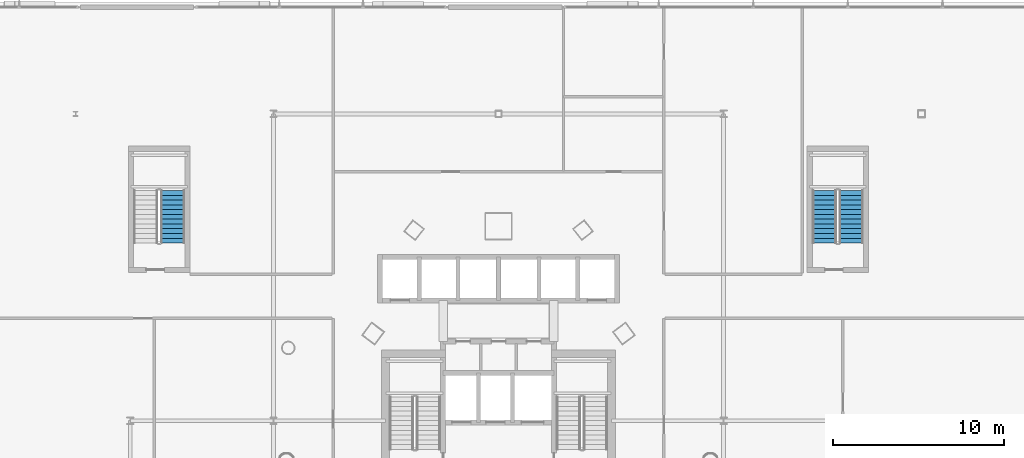
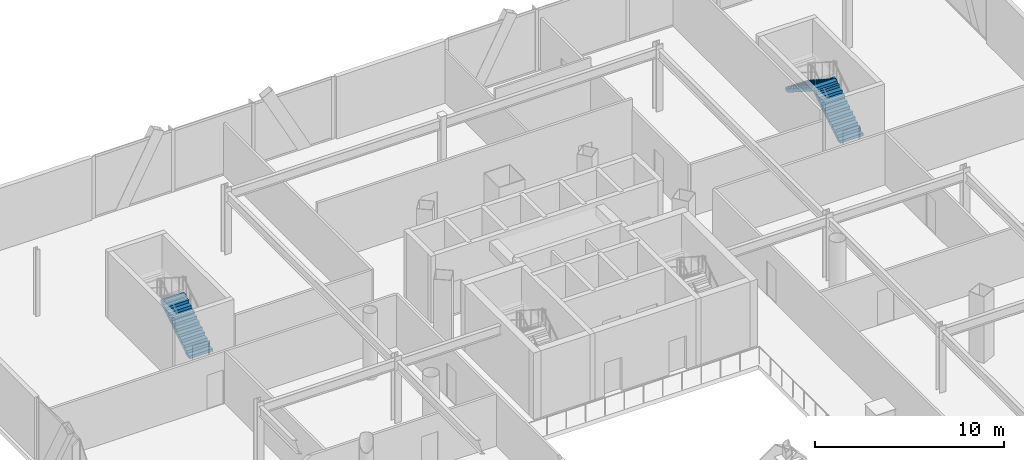
# One storey, part 35 of 42: 3 stair flights, 2 elements without a shape of their own.
"""IFC4 building model written with IfcOpenShell, lengths in metres."""

from ifc_helpers import new_model, si_unit, direction, frame, origin, place, context, subcontext, project, spatial, polyline, outline, extrude, material, type_object, element, aggregate, save


model = new_model("IFC4")

# Units and contexts
model_context = context("Model", 3, precision=1e-05, world=origin(), true_north=direction((0.0, 1.0)))
body_context = subcontext(model_context, "Body", "Model", "MODEL_VIEW")
ifc_project = project(units=[si_unit("LENGTHUNIT", "METRE"), si_unit("AREAUNIT", "SQUARE_METRE"), si_unit("VOLUMEUNIT", "CUBIC_METRE"), si_unit("PLANEANGLEUNIT", "RADIAN"), si_unit("MASSUNIT", "GRAM", prefix="KILO")], contexts=[model_context])

# Site, building, storey
site_placement = place(None, origin())
site = spatial("IfcSite", under=ifc_project, at=site_placement, CompositionType="ELEMENT")
building_placement = place(site_placement, origin())
building = spatial("IfcBuilding", under=site, at=building_placement, Name="Orvanel Arch Residences", CompositionType="ELEMENT")
storey_placement = place(building_placement, frame((0.0, 0.0, 9.800048828125)))
storey = spatial("IfcBuildingStorey", under=building, at=storey_placement, Name="L02", CompositionType="ELEMENT", Elevation=9.800048828125)

# Stair, stair flight
ifc_material = material(Name="Precast concrete N50 (50 MPa)", Category="concrete")
stair_type = type_object("IfcStairType", Name="STR-DOG-178", PredefinedType="USERDEFINED", material=ifc_material)
stair_1_placement = place(storey_placement, origin())
stair_1 = element("IfcStair", 1, at=stair_1_placement, inside=storey, type_object=stair_type, Name="L02 West Podium Fire-Isolated Exit Stair 3", ObjectType="TWO_RETURN_STAIR", PredefinedType="USERDEFINED")
stair_flight_type_1 = type_object("IfcStairFlightType", Name="SFL-C3-178", PredefinedType="STRAIGHT", material=ifc_material)
stair_flight_1_placement = place(storey_placement, frame((13.889892578125, 40.419921875, 0.0), z_axis=(0.0, 0.0, 1.0), x_axis=(0.0, 1.0, 0.0)))
stair_flight_1 = element("IfcStairFlight", 2, at=stair_flight_1_placement, type_object=stair_flight_type_1, Name="ST-3 flight 1", NumberOfRisers=12, NumberOfTreads=11, PredefinedType="STRAIGHT", RiserHeight=0.179166667, TreadLength=0.28, context=body_context, shape_type="SweptSolid", body=[
    extrude(outline(polyline([(0.0, 0.0), (0.0, 0.17919921875), (0.280029296875, 0.17919921875), (0.280029296875, 0.3583984375), (0.56005859375, 0.3583984375), (0.56005859375, 0.53759765625), (0.840087890625, 0.53759765625), (0.840087890625, 0.716552734375), (1.1201171875, 0.716552734375), (1.1201171875, 0.895751953125), (1.39990234375, 0.895751953125), (1.39990234375, 1.074951171875), (1.679931640625, 1.074951171875), (1.679931640625, 1.254150390625), (1.9599609375, 1.254150390625), (1.9599609375, 1.433349609375), (2.239990234375, 1.433349609375), (2.239990234375, 1.612548828125), (2.52001953125, 1.612548828125), (2.52001953125, 1.791748046875), (2.800048828125, 1.791748046875), (2.800048828125, 1.970947265625), (3.080078125, 1.970947265625), (3.080078125, 2.14990234375), (3.080078125, 1.79296875), (0.278076171875, 0.0), (0.0, 0.0)])), frame((0.0, 0.7099609375, 0.0), z_axis=(0.0, -1.0, 0.0), x_axis=(1.0, 0.0, 0.0)), (0.0, 0.0, 1.0), 1.419921875),
])
aggregate(stair_1, [stair_flight_1])

# Stair, stair flights
stair_2_placement = place(storey_placement, origin())
stair_2 = element("IfcStair", 3, at=stair_2_placement, inside=storey, type_object=stair_type, Name="L02 East Podium Fire-Isolated Exit Stair 4", ObjectType="TWO_RETURN_STAIR", PredefinedType="USERDEFINED")
stair_flight_type_2 = type_object("IfcStairFlightType", Name="SFL-C4-178", PredefinedType="STRAIGHT", material=ifc_material)
stair_flight_2_placement = place(storey_placement, frame((53.68994140625, 40.419921875, 0.0), z_axis=(0.0, 0.0, 1.0), x_axis=(0.0, 1.0, 0.0)))
stair_flight_2 = element("IfcStairFlight", 4, at=stair_flight_2_placement, type_object=stair_flight_type_2, Name="ST-4 flight 1", NumberOfRisers=12, NumberOfTreads=11, PredefinedType="STRAIGHT", RiserHeight=0.179166667, TreadLength=0.28, context=body_context, shape_type="SweptSolid", body=[
    extrude(outline(polyline([(0.0, 0.0), (0.0, 0.17919921875), (0.280029296875, 0.17919921875), (0.280029296875, 0.3583984375), (0.56005859375, 0.3583984375), (0.56005859375, 0.53759765625), (0.840087890625, 0.53759765625), (0.840087890625, 0.716552734375), (1.1201171875, 0.716552734375), (1.1201171875, 0.895751953125), (1.39990234375, 0.895751953125), (1.39990234375, 1.074951171875), (1.679931640625, 1.074951171875), (1.679931640625, 1.254150390625), (1.9599609375, 1.254150390625), (1.9599609375, 1.433349609375), (2.239990234375, 1.433349609375), (2.239990234375, 1.612548828125), (2.52001953125, 1.612548828125), (2.52001953125, 1.791748046875), (2.800048828125, 1.791748046875), (2.800048828125, 1.970947265625), (3.080078125, 1.970947265625), (3.080078125, 2.14990234375), (3.080078125, 1.79296875), (0.278076171875, 0.0), (0.0, 0.0)])), frame((0.0, 0.7099609375, 0.0), z_axis=(0.0, -1.0, 0.0), x_axis=(1.0, 0.0, 0.0)), (0.0, 0.0, 1.0), 1.419921875),
])
stair_flight_3_placement = place(storey_placement, frame((52.110107421875, 43.5, 2.14990234375), z_axis=(0.0, 0.0, 1.0), x_axis=(0.0, -1.0, 0.0)))
stair_flight_3 = element("IfcStairFlight", 5, at=stair_flight_3_placement, type_object=stair_flight_type_2, Name="ST-4 flight 2", NumberOfRisers=12, NumberOfTreads=11, PredefinedType="STRAIGHT", RiserHeight=0.179166667, TreadLength=0.28, context=body_context, shape_type="SweptSolid", body=[
    extrude(outline(polyline([(0.0, 0.0), (0.0, 0.17919921875), (0.280029296875, 0.17919921875), (0.280029296875, 0.3583984375), (0.56005859375, 0.3583984375), (0.56005859375, 0.53759765625), (0.840087890625, 0.53759765625), (0.840087890625, 0.716552734375), (1.1201171875, 0.716552734375), (1.1201171875, 0.895751953125), (1.39990234375, 0.895751953125), (1.39990234375, 1.074951171875), (1.679931640625, 1.074951171875), (1.679931640625, 1.254150390625), (1.9599609375, 1.254150390625), (1.9599609375, 1.433349609375), (2.239990234375, 1.433349609375), (2.239990234375, 1.612548828125), (2.52001953125, 1.612548828125), (2.52001953125, 1.791748046875), (2.800048828125, 1.791748046875), (2.800048828125, 1.970947265625), (3.080078125, 1.970947265625), (3.080078125, 2.14990234375), (3.080078125, 1.79296875), (0.278076171875, 0.0), (0.0, 0.0)])), frame((0.0, 0.7099609375, 0.0), z_axis=(0.0, -1.0, 0.0), x_axis=(1.0, 0.0, 0.0)), (0.0, 0.0, 1.0), 1.419921875),
])
aggregate(stair_2, [stair_flight_2, stair_flight_3])

save(model, "model.ifc")
